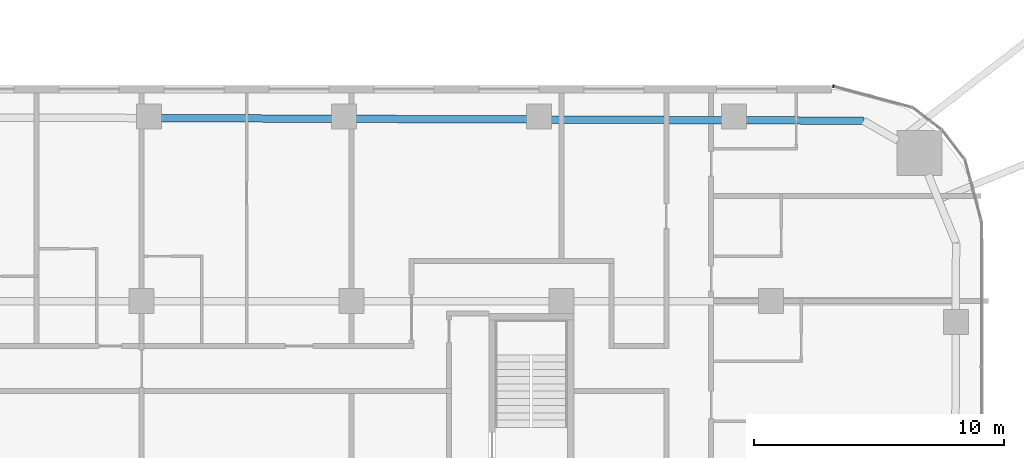
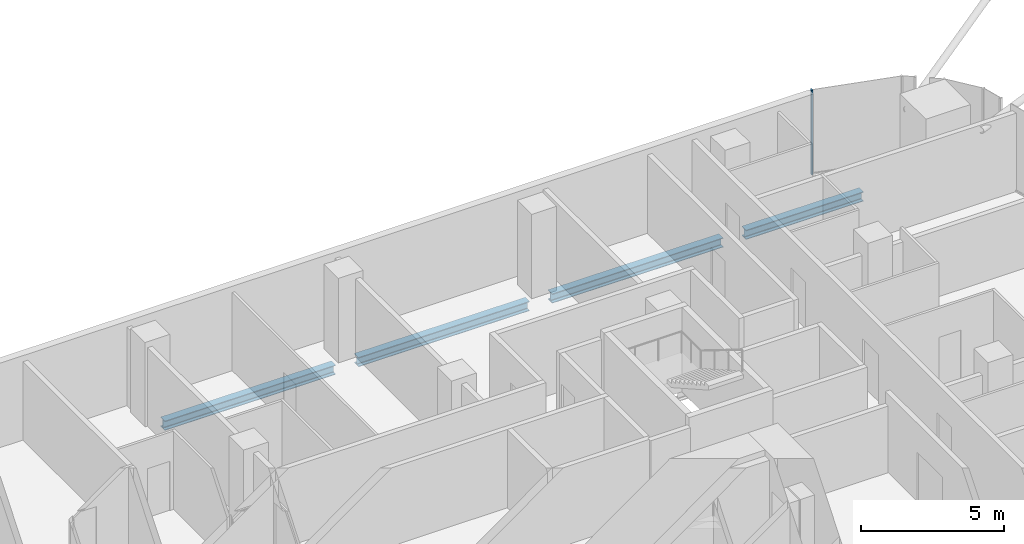
# One storey, part 13 of 38: 4 beams, 1 member, 1 element without a shape of its own.
"""IFC4 building model written with IfcOpenShell, lengths in metres."""

from ifc_helpers import new_model, si_unit, direction, frame, origin, origin_2d, place, context, subcontext, project, spatial, rectangle, i_section, extrude, material, layer, layer_set, material_profile, profile_set, type_object, element, aggregate, save


model = new_model("IFC4")

# Units and contexts
model_context = context("Model", 3, precision=1e-05, world=origin(), true_north=direction((0.0, 1.0)))
body_context = subcontext(model_context, "Body", "Model", "MODEL_VIEW")
ifc_project = project(units=[si_unit("LENGTHUNIT", "METRE"), si_unit("AREAUNIT", "SQUARE_METRE"), si_unit("VOLUMEUNIT", "CUBIC_METRE"), si_unit("PLANEANGLEUNIT", "RADIAN"), si_unit("MASSUNIT", "GRAM", prefix="KILO")], contexts=[model_context])

# Site, building, storey
site_placement = place(None, origin())
site = spatial("IfcSite", under=ifc_project, at=site_placement, CompositionType="ELEMENT")
building_placement = place(site_placement, origin())
building = spatial("IfcBuilding", under=site, at=building_placement, Name="Marenta Gate Hotel Tower", CompositionType="ELEMENT")
storey_placement = place(building_placement, frame((0.0, 0.0, 40.10009765625)))
storey = spatial("IfcBuildingStorey", under=building, at=storey_placement, Name="L07", CompositionType="ELEMENT", Elevation=40.10009765625)

# Beams
ifc_material_1 = material(Name="Steel S355", Category="steel")
ifc_material_profile_1 = material_profile(ifc_material_1, i_section(OverallWidth=0.300048828125, OverallDepth=0.39990234375, WebThickness=0.013427734375, FlangeThickness=0.02392578125, FilletRadius=0.027099609375, at=origin_2d()), Name="HEB 400")
ifc_profile_set_1 = profile_set([ifc_material_profile_1], Name="Steel S355")
beam_type = type_object("IfcBeamType", Name="Edge beam HEB 400", PredefinedType="SPANDREL", material=ifc_profile_set_1)
for number, where, z_axis, x_axis, name in (
    (1, (-3.44140625, 32.52587890625, -0.460205078125), (0.999993195747, -0.003688964684, 0.0), (0.003688964684, 0.999993195747, 0.0), "L07-EB-16"),
    (2, (4.361328125, 32.4970703125, -0.460205078125), (0.999993064268, -0.003724435008, 0.0), (0.003724435008, 0.999993064268, 0.0), "L07-EB-17"),
    (3, (12.1640625, 32.468017578125, -0.460205078125), (0.999993064268, -0.003724435008, 0.0), (0.003724435008, 0.999993064268, 0.0), "L07-EB-18"),
):
    element("IfcBeam", number, at=place(storey_placement, frame(where, z_axis=z_axis, x_axis=x_axis)), inside=storey, type_object=beam_type, Name=name, PredefinedType="SPANDREL", context=body_context, shape_type="SweptSolid", body=[
        extrude(i_section(OverallWidth=0.300048828125, OverallDepth=0.39990234375, WebThickness=0.013427734375, FlangeThickness=0.02392578125, FilletRadius=0.027099609375, at=origin_2d()), origin(), (0.0, 0.0, 1.0), 6.8828125),
    ])
beam_placement = place(storey_placement, frame((19.966796875, 32.43896484375, -0.460205078125), z_axis=(0.999993080272, -0.003720135464, 0.0), x_axis=(0.003720135464, 0.999993080272, 0.0)))
element("IfcBeam", 4, at=beam_placement, inside=storey, type_object=beam_type, Name="L07-EB-19", PredefinedType="SPANDREL", context=body_context, shape_type="SweptSolid", body=[
    extrude(i_section(OverallWidth=0.300048828125, OverallDepth=0.39990234375, WebThickness=0.013427734375, FlangeThickness=0.02392578125, FilletRadius=0.027099609375, at=origin_2d()), origin(), (0.0, 0.0, 1.0), 4.72509765625),
])

# Curtain wall, member
ifc_material_2 = material(Name="Tinted insulated glass in bronze anodised frame", Category="glass")
ifc_layer = layer(ifc_material_2, 0.1201171875)
ifc_layer_set = layer_set([ifc_layer], Name="Tinted insulated glass in bronze anodised frame")
curtain_wall_type = type_object("IfcCurtainWallType", Name="Tower unitised curtain wall CW1", PredefinedType="NOTDEFINED", material=ifc_layer_set)
curtain_wall_placement = place(storey_placement, origin())
curtain_wall = element("IfcCurtainWall", 5, at=curtain_wall_placement, inside=storey, type_object=curtain_wall_type, Name="CW1 run G42", PredefinedType="NOTDEFINED")
ifc_material_3 = material(Name="Bronze anodised aluminium", Category="aluminium")
ifc_material_profile_2 = material_profile(ifc_material_3, rectangle(XDim=0.1201171875, YDim=0.06005859375, at=origin_2d()), Name="Mullion CW1 60x120 bronze anodised aluminium")
ifc_profile_set_2 = profile_set([ifc_material_profile_2], Name="Bronze anodised aluminium")
member_type = type_object("IfcMemberType", Name="Mullion CW1 60x120 bronze anodised aluminium", PredefinedType="MULLION", material=ifc_profile_set_2)
member_placement = place(storey_placement, frame((23.485595703125, 33.80322265625, 0.0), z_axis=(0.0, 0.0, 1.0), x_axis=(-0.258807310344, -0.965928970532, 0.0)))
member = element("IfcMember", 6, at=member_placement, type_object=member_type, Name="CW1 mullion 2", PredefinedType="MULLION", context=body_context, shape_type="SweptSolid", body=[
    extrude(rectangle(XDim=0.1201171875, YDim=0.06005859375, at=origin_2d()), origin(), (0.0, 0.0, 1.0), 3.599853515625),
])
aggregate(curtain_wall, [member])

save(model, "model.ifc")
